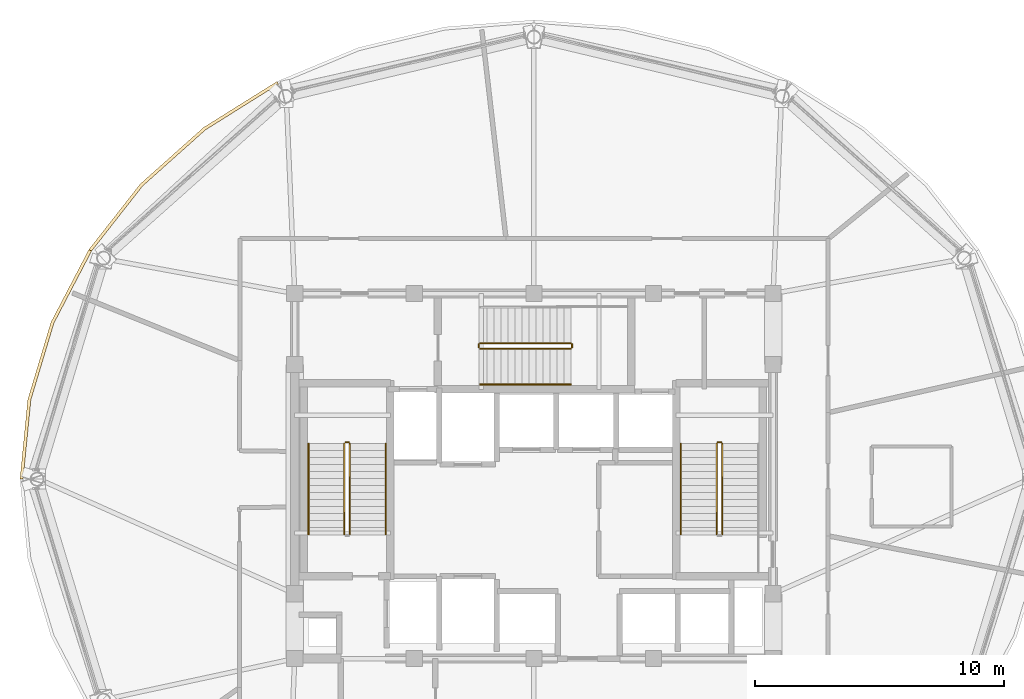
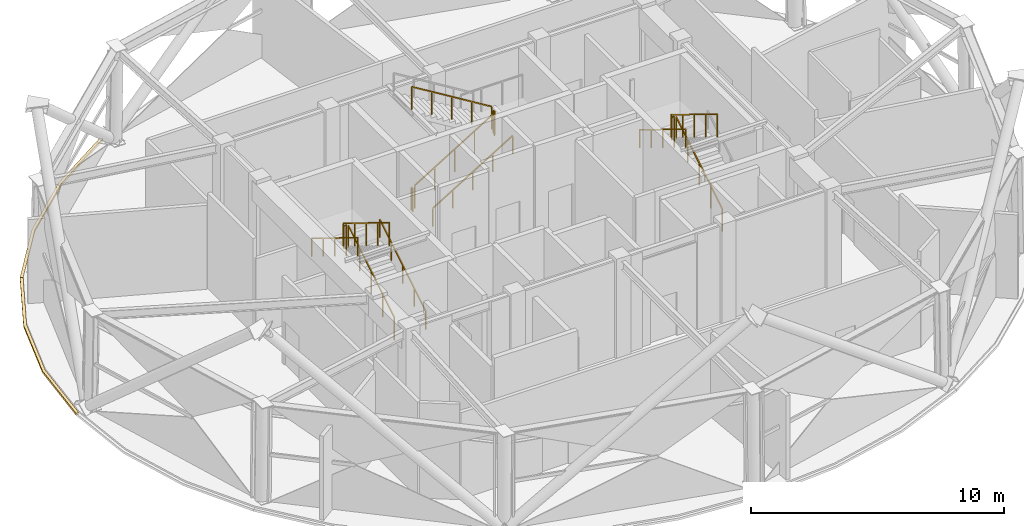
# One storey, part 13 of 14: 14 railings, 2 coverings.
"""IFC4 building model written with IfcOpenShell, lengths in metres."""

from ifc_helpers import new_model, si_unit, direction, frame, origin, origin_2d, place, context, subcontext, project, spatial, polyline, rectangle, outline, extrude, material, layer, layer_set, type_object, element, save


model = new_model("IFC4")

# Units and contexts
model_context = context("Model", 3, precision=1e-05, world=origin(), true_north=direction((0.0, 1.0)))
body_context = subcontext(model_context, "Body", "Model", "MODEL_VIEW")
ifc_project = project(units=[si_unit("LENGTHUNIT", "METRE"), si_unit("AREAUNIT", "SQUARE_METRE"), si_unit("VOLUMEUNIT", "CUBIC_METRE"), si_unit("PLANEANGLEUNIT", "RADIAN"), si_unit("MASSUNIT", "GRAM", prefix="KILO")], contexts=[model_context])

# Site, building, storey
site_placement = place(None, origin())
site = spatial("IfcSite", under=ifc_project, at=site_placement, CompositionType="ELEMENT")
building_placement = place(site_placement, origin())
building = spatial("IfcBuilding", under=site, at=building_placement, Name="Vantalir Tower", CompositionType="ELEMENT")
storey_placement = place(building_placement, frame((0.0, 0.0, 259.050048828125)))
storey = spatial("IfcBuildingStorey", under=building, at=storey_placement, Name="L65", CompositionType="ELEMENT", Elevation=259.050048828125)

# Coverings
ifc_material_1 = material(Name="Anodised champagne aluminium sill fascia", Category="aluminium")
ifc_layer = layer(ifc_material_1, 0.125)
ifc_layer_set = layer_set([ifc_layer], Name="Anodised champagne aluminium sill fascia")
covering_type = type_object("IfcCoveringType", Name="COV-SLAB-FASCIA-125", PredefinedType="CLADDING", material=ifc_layer_set)
covering_1_placement = place(storey_placement, frame((0.0, 0.0, -0.179931640625)))
element("IfcCovering", 1, at=covering_1_placement, inside=storey, type_object=covering_type, Name="L65 Perimeter Slab-Edge Sill Fascia 05", PredefinedType="CLADDING", context=body_context, shape_type="SweptSolid", body=[
    extrude(outline(polyline([(21.18798828125, 40.9599609375), (18.242919921875, 39.116943359375), (15.699951171875, 36.845947265625), (13.637939453125, 34.214111328125), (13.74609375, 34.152099609375), (15.7958984375, 36.76611328125), (18.322998046875, 39.02197265625), (21.25, 40.85205078125), (21.18798828125, 40.9599609375)])), origin(), (0.0, 0.0, 1.0), 0.10498046875),
])
covering_2_placement = place(storey_placement, frame((0.0, 0.0, -0.179931640625)))
element("IfcCovering", 2, at=covering_2_placement, inside=storey, type_object=covering_type, Name="L65 Perimeter Slab-Edge Sill Fascia 06", PredefinedType="CLADDING", context=body_context, shape_type="SweptSolid", body=[
    extrude(outline(polyline([(13.637939453125, 34.214111328125), (12.118896484375, 31.302978515625), (11.18798828125, 28.199951171875), (10.875, 25.0), (11.0, 25.0), (11.31103515625, 28.177978515625), (12.236083984375, 31.260009765625), (13.74609375, 34.152099609375), (13.637939453125, 34.214111328125)])), origin(), (0.0, 0.0, 1.0), 0.10498046875),
])

# Railings
ifc_material_2 = material(Name="Anodised aluminium and stainless steel guard", Category="steel")
railing_type_1 = type_object("IfcRailingType", Name="RAL-GUARD-1120", PredefinedType="GUARDRAIL", material=ifc_material_2)
railing_1_placement = place(storey_placement, frame((24.110107421875, 22.7900390625, 0.17138671875)))
element("IfcRailing", 3, at=railing_1_placement, inside=storey, type_object=railing_type_1, Name="L65 ST1 stair guard 1", PredefinedType="GUARDRAIL", context=body_context, shape_type="SweptSolid", body=[
    extrude(rectangle(XDim=0.048095703125, YDim=0.048095703125, at=origin_2d()), frame((0.0, 0.0, 1.09619140625), z_axis=(0.0, 0.852850264322, 0.5221555579), x_axis=(-1.0, 0.0, 0.0)), (0.0, 0.0, 1.0), 4.267822265625),
    extrude(rectangle(XDim=0.0419921875, YDim=0.0419921875, at=origin_2d()), origin(), (0.0, 0.0, 1.0), 1.072021484375),
    extrude(rectangle(XDim=0.0419921875, YDim=0.0419921875, at=origin_2d()), frame((0.0, 0.909912109375, 0.55712890625)), (0.0, 0.0, 1.0), 1.072021484375),
    extrude(rectangle(XDim=0.0419921875, YDim=0.0419921875, at=origin_2d()), frame((0.0, 1.81982421875, 1.1142578125)), (0.0, 0.0, 1.0), 1.072021484375),
    extrude(rectangle(XDim=0.0419921875, YDim=0.0419921875, at=origin_2d()), frame((0.0, 2.72998046875, 1.67138671875)), (0.0, 0.0, 1.0), 1.072021484375),
    extrude(rectangle(XDim=0.0419921875, YDim=0.0419921875, at=origin_2d()), frame((0.0, 3.639892578125, 2.228515625)), (0.0, 0.0, 1.0), 1.072021484375),
])
railing_2_placement = place(storey_placement, frame((24.06005859375, 26.47998046875, 2.39990234375)))
element("IfcRailing", 4, at=railing_2_placement, inside=storey, type_object=railing_type_1, Name="L65 ST1 stair guard 2", PredefinedType="GUARDRAIL", context=body_context, shape_type="SweptSolid", body=[
    extrude(rectangle(XDim=0.048095703125, YDim=0.048095703125, at=origin_2d()), frame((0.0, 0.0, 1.09619140625), z_axis=(-1.0, 0.0, 0.0), x_axis=(0.0, -1.0, 0.0)), (0.0, 0.0, 1.0), 0.1201171875),
    extrude(rectangle(XDim=0.0419921875, YDim=0.0419921875, at=origin_2d()), origin(), (0.0, 0.0, 1.0), 1.072021484375),
    extrude(rectangle(XDim=0.0419921875, YDim=0.0419921875, at=origin_2d()), frame((-0.1201171875, 0.0, 0.0)), (0.0, 0.0, 1.0), 1.072021484375),
])
railing_3_placement = place(storey_placement, frame((23.889892578125, 26.429931640625, 2.5712890625)))
element("IfcRailing", 5, at=railing_3_placement, inside=storey, type_object=railing_type_1, Name="L65 ST1 stair guard 3", PredefinedType="GUARDRAIL", context=body_context, shape_type="SweptSolid", body=[
    extrude(rectangle(XDim=0.048095703125, YDim=0.048095703125, at=origin_2d()), frame((0.0, 0.0, 1.09619140625), z_axis=(0.0, -0.852824790078, 0.522197163366), x_axis=(1.0, 0.0, 0.0)), (0.0, 0.0, 1.0), 4.26806640625),
    extrude(rectangle(XDim=0.0419921875, YDim=0.0419921875, at=origin_2d()), origin(), (0.0, 0.0, 1.0), 1.072021484375),
    extrude(rectangle(XDim=0.0419921875, YDim=0.0419921875, at=origin_2d()), frame((0.0, -0.909912109375, 0.55712890625)), (0.0, 0.0, 1.0), 1.072021484375),
    extrude(rectangle(XDim=0.0419921875, YDim=0.0419921875, at=origin_2d()), frame((0.0, -1.81982421875, 1.1142578125)), (0.0, 0.0, 1.0), 1.072021484375),
    extrude(rectangle(XDim=0.0419921875, YDim=0.0419921875, at=origin_2d()), frame((0.0, -2.72998046875, 1.671630859375)), (0.0, 0.0, 1.0), 1.072021484375),
    extrude(rectangle(XDim=0.0419921875, YDim=0.0419921875, at=origin_2d()), frame((0.0, -3.639892578125, 2.228759765625)), (0.0, 0.0, 1.0), 1.072021484375),
])
railing_4_placement = place(storey_placement, frame((39.06005859375, 22.7900390625, 0.17138671875)))
element("IfcRailing", 6, at=railing_4_placement, inside=storey, type_object=railing_type_1, Name="L65 ST2 stair guard 1", PredefinedType="GUARDRAIL", context=body_context, shape_type="SweptSolid", body=[
    extrude(rectangle(XDim=0.048095703125, YDim=0.048095703125, at=origin_2d()), frame((0.0, 0.0, 1.09619140625), z_axis=(0.0, 0.852850264322, 0.5221555579), x_axis=(-1.0, 0.0, 0.0)), (0.0, 0.0, 1.0), 4.267822265625),
    extrude(rectangle(XDim=0.0419921875, YDim=0.0419921875, at=origin_2d()), origin(), (0.0, 0.0, 1.0), 1.072021484375),
    extrude(rectangle(XDim=0.0419921875, YDim=0.0419921875, at=origin_2d()), frame((0.0, 0.909912109375, 0.55712890625)), (0.0, 0.0, 1.0), 1.072021484375),
    extrude(rectangle(XDim=0.0419921875, YDim=0.0419921875, at=origin_2d()), frame((0.0, 1.81982421875, 1.1142578125)), (0.0, 0.0, 1.0), 1.072021484375),
    extrude(rectangle(XDim=0.0419921875, YDim=0.0419921875, at=origin_2d()), frame((0.0, 2.72998046875, 1.67138671875)), (0.0, 0.0, 1.0), 1.072021484375),
    extrude(rectangle(XDim=0.0419921875, YDim=0.0419921875, at=origin_2d()), frame((0.0, 3.639892578125, 2.228515625)), (0.0, 0.0, 1.0), 1.072021484375),
])
railing_5_placement = place(storey_placement, frame((39.010009765625, 26.47998046875, 2.39990234375)))
element("IfcRailing", 7, at=railing_5_placement, inside=storey, type_object=railing_type_1, Name="L65 ST2 stair guard 2", PredefinedType="GUARDRAIL", context=body_context, shape_type="SweptSolid", body=[
    extrude(rectangle(XDim=0.048095703125, YDim=0.048095703125, at=origin_2d()), frame((0.0, 0.0, 1.09619140625), z_axis=(-1.0, 0.0, 0.0), x_axis=(0.0, -1.0, 0.0)), (0.0, 0.0, 1.0), 0.1201171875),
    extrude(rectangle(XDim=0.0419921875, YDim=0.0419921875, at=origin_2d()), origin(), (0.0, 0.0, 1.0), 1.072021484375),
    extrude(rectangle(XDim=0.0419921875, YDim=0.0419921875, at=origin_2d()), frame((-0.1201171875, 0.0, 0.0)), (0.0, 0.0, 1.0), 1.072021484375),
])
railing_6_placement = place(storey_placement, frame((38.840087890625, 26.429931640625, 2.5712890625)))
element("IfcRailing", 8, at=railing_6_placement, inside=storey, type_object=railing_type_1, Name="L65 ST2 stair guard 3", PredefinedType="GUARDRAIL", context=body_context, shape_type="SweptSolid", body=[
    extrude(rectangle(XDim=0.048095703125, YDim=0.048095703125, at=origin_2d()), frame((0.0, 0.0, 1.09619140625), z_axis=(0.0, -0.852824790078, 0.522197163366), x_axis=(1.0, 0.0, 0.0)), (0.0, 0.0, 1.0), 4.26806640625),
    extrude(rectangle(XDim=0.0419921875, YDim=0.0419921875, at=origin_2d()), origin(), (0.0, 0.0, 1.0), 1.072021484375),
    extrude(rectangle(XDim=0.0419921875, YDim=0.0419921875, at=origin_2d()), frame((0.0, -0.909912109375, 0.55712890625)), (0.0, 0.0, 1.0), 1.072021484375),
    extrude(rectangle(XDim=0.0419921875, YDim=0.0419921875, at=origin_2d()), frame((0.0, -1.81982421875, 1.1142578125)), (0.0, 0.0, 1.0), 1.072021484375),
    extrude(rectangle(XDim=0.0419921875, YDim=0.0419921875, at=origin_2d()), frame((0.0, -2.72998046875, 1.671630859375)), (0.0, 0.0, 1.0), 1.072021484375),
    extrude(rectangle(XDim=0.0419921875, YDim=0.0419921875, at=origin_2d()), frame((0.0, -3.639892578125, 2.228759765625)), (0.0, 0.0, 1.0), 1.072021484375),
])
railing_7_placement = place(storey_placement, frame((29.340087890625, 30.239990234375, 0.17138671875)))
element("IfcRailing", 9, at=railing_7_placement, inside=storey, type_object=railing_type_1, Name="L65 ST3 stair guard 1", PredefinedType="GUARDRAIL", context=body_context, shape_type="SweptSolid", body=[
    extrude(rectangle(XDim=0.048095703125, YDim=0.048095703125, at=origin_2d()), frame((0.0, 0.0, 1.09619140625), z_axis=(0.852850264322, 0.0, 0.5221555579), x_axis=(0.0, 1.0, 0.0)), (0.0, 0.0, 1.0), 4.267822265625),
    extrude(rectangle(XDim=0.0419921875, YDim=0.0419921875, at=origin_2d()), origin(), (0.0, 0.0, 1.0), 1.072021484375),
    extrude(rectangle(XDim=0.0419921875, YDim=0.0419921875, at=origin_2d()), frame((0.909912109375, 0.0, 0.55712890625)), (0.0, 0.0, 1.0), 1.072021484375),
    extrude(rectangle(XDim=0.0419921875, YDim=0.0419921875, at=origin_2d()), frame((1.81982421875, 0.0, 1.1142578125)), (0.0, 0.0, 1.0), 1.072021484375),
    extrude(rectangle(XDim=0.0419921875, YDim=0.0419921875, at=origin_2d()), frame((2.72998046875, 0.0, 1.67138671875)), (0.0, 0.0, 1.0), 1.072021484375),
    extrude(rectangle(XDim=0.0419921875, YDim=0.0419921875, at=origin_2d()), frame((3.639892578125, 0.0, 2.228515625)), (0.0, 0.0, 1.0), 1.072021484375),
])
railing_8_placement = place(storey_placement, frame((33.030029296875, 30.2900390625, 2.39990234375)))
element("IfcRailing", 10, at=railing_8_placement, inside=storey, type_object=railing_type_1, Name="L65 ST3 stair guard 2", PredefinedType="GUARDRAIL", context=body_context, shape_type="SweptSolid", body=[
    extrude(rectangle(XDim=0.048095703125, YDim=0.048095703125, at=origin_2d()), frame((0.0, 0.0, 1.09619140625), z_axis=(0.0, 1.0, 0.0), x_axis=(-1.0, 0.0, 0.0)), (0.0, 0.0, 1.0), 0.119873046875),
    extrude(rectangle(XDim=0.0419921875, YDim=0.0419921875, at=origin_2d()), origin(), (0.0, 0.0, 1.0), 1.072021484375),
    extrude(rectangle(XDim=0.0419921875, YDim=0.0419921875, at=origin_2d()), frame((0.0, 0.119873046875, 0.0)), (0.0, 0.0, 1.0), 1.072021484375),
])
railing_9_placement = place(storey_placement, frame((32.97998046875, 30.4599609375, 2.5712890625)))
element("IfcRailing", 11, at=railing_9_placement, inside=storey, type_object=railing_type_1, Name="L65 ST3 stair guard 3", PredefinedType="GUARDRAIL", context=body_context, shape_type="SweptSolid", body=[
    extrude(rectangle(XDim=0.048095703125, YDim=0.048095703125, at=origin_2d()), frame((0.0, 0.0, 1.09619140625), z_axis=(-0.852824790078, 0.0, 0.522197163366), x_axis=(0.0, -1.0, 0.0)), (0.0, 0.0, 1.0), 4.26806640625),
    extrude(rectangle(XDim=0.0419921875, YDim=0.0419921875, at=origin_2d()), origin(), (0.0, 0.0, 1.0), 1.072021484375),
    extrude(rectangle(XDim=0.0419921875, YDim=0.0419921875, at=origin_2d()), frame((-0.909912109375, 0.0, 0.55712890625)), (0.0, 0.0, 1.0), 1.072021484375),
    extrude(rectangle(XDim=0.0419921875, YDim=0.0419921875, at=origin_2d()), frame((-1.81982421875, 0.0, 1.1142578125)), (0.0, 0.0, 1.0), 1.072021484375),
    extrude(rectangle(XDim=0.0419921875, YDim=0.0419921875, at=origin_2d()), frame((-2.72998046875, 0.0, 1.671630859375)), (0.0, 0.0, 1.0), 1.072021484375),
    extrude(rectangle(XDim=0.0419921875, YDim=0.0419921875, at=origin_2d()), frame((-3.639892578125, 0.0, 2.228759765625)), (0.0, 0.0, 1.0), 1.072021484375),
])
railing_10_placement = place(storey_placement, frame((29.2900390625, 30.2900390625, 0.0)))
element("IfcRailing", 12, at=railing_10_placement, inside=storey, type_object=railing_type_1, Name="L65 ST3 stair guard 4", PredefinedType="GUARDRAIL", context=body_context, shape_type="SweptSolid", body=[
    extrude(rectangle(XDim=0.048095703125, YDim=0.048095703125, at=origin_2d()), frame((0.0, 0.0, 1.09619140625), z_axis=(0.0, 1.0, 0.0), x_axis=(-1.0, 0.0, 0.0)), (0.0, 0.0, 1.0), 0.119873046875),
    extrude(rectangle(XDim=0.0419921875, YDim=0.0419921875, at=origin_2d()), origin(), (0.0, 0.0, 1.0), 1.072021484375),
    extrude(rectangle(XDim=0.0419921875, YDim=0.0419921875, at=origin_2d()), frame((0.0, 0.119873046875, 0.0)), (0.0, 0.0, 1.0), 1.072021484375),
])
ifc_material_3 = material(Name="Brushed stainless steel tubular handrail", Category="steel")
railing_type_2 = type_object("IfcRailingType", Name="RAL-HANDRAIL-900", PredefinedType="HANDRAIL", material=ifc_material_3)
railing_11_placement = place(storey_placement, frame((25.550048828125, 22.7900390625, 0.17138671875)))
element("IfcRailing", 13, at=railing_11_placement, inside=storey, type_object=railing_type_2, Name="L65 ST1 stair handrail 1", PredefinedType="HANDRAIL", context=body_context, shape_type="SweptSolid", body=[
    extrude(rectangle(XDim=0.048095703125, YDim=0.048095703125, at=origin_2d()), frame((0.0, 0.0, 0.8759765625), z_axis=(0.0, 0.852850264322, 0.5221555579), x_axis=(-1.0, 0.0, 0.0)), (0.0, 0.0, 1.0), 4.267822265625),
    extrude(rectangle(XDim=0.0419921875, YDim=0.0419921875, at=origin_2d()), origin(), (0.0, 0.0, 1.0), 0.851806640625),
    extrude(rectangle(XDim=0.0419921875, YDim=0.0419921875, at=origin_2d()), frame((0.0, 0.909912109375, 0.55712890625)), (0.0, 0.0, 1.0), 0.851806640625),
    extrude(rectangle(XDim=0.0419921875, YDim=0.0419921875, at=origin_2d()), frame((0.0, 1.81982421875, 1.1142578125)), (0.0, 0.0, 1.0), 0.851806640625),
    extrude(rectangle(XDim=0.0419921875, YDim=0.0419921875, at=origin_2d()), frame((0.0, 2.72998046875, 1.67138671875)), (0.0, 0.0, 1.0), 0.851806640625),
    extrude(rectangle(XDim=0.0419921875, YDim=0.0419921875, at=origin_2d()), frame((0.0, 3.639892578125, 2.228515625)), (0.0, 0.0, 1.0), 0.851806640625),
])
for number, where, name in (
    (14, (22.449951171875, 26.429931640625, 2.5712890625), "L65 ST1 stair handrail 2"),
    (15, (37.39990234375, 26.429931640625, 2.5712890625), "L65 ST2 stair handrail 2"),
):
    element("IfcRailing", number, at=place(storey_placement, frame(where)), inside=storey, type_object=railing_type_2, Name=name, PredefinedType="HANDRAIL", context=body_context, shape_type="SweptSolid", body=[
        extrude(rectangle(XDim=0.048095703125, YDim=0.048095703125, at=origin_2d()), frame((0.0, 0.0, 0.8759765625), z_axis=(0.0, -0.852824790078, 0.522197163366), x_axis=(1.0, 0.0, 0.0)), (0.0, 0.0, 1.0), 4.26806640625),
        extrude(rectangle(XDim=0.0419921875, YDim=0.0419921875, at=origin_2d()), origin(), (0.0, 0.0, 1.0), 0.851806640625),
        extrude(rectangle(XDim=0.0419921875, YDim=0.0419921875, at=origin_2d()), frame((0.0, -0.909912109375, 0.55712890625)), (0.0, 0.0, 1.0), 0.851806640625),
        extrude(rectangle(XDim=0.0419921875, YDim=0.0419921875, at=origin_2d()), frame((0.0, -1.81982421875, 1.1142578125)), (0.0, 0.0, 1.0), 0.851806640625),
        extrude(rectangle(XDim=0.0419921875, YDim=0.0419921875, at=origin_2d()), frame((0.0, -2.72998046875, 1.671630859375)), (0.0, 0.0, 1.0), 0.851806640625),
        extrude(rectangle(XDim=0.0419921875, YDim=0.0419921875, at=origin_2d()), frame((0.0, -3.639892578125, 2.228759765625)), (0.0, 0.0, 1.0), 0.851806640625),
    ])
railing_12_placement = place(storey_placement, frame((29.340087890625, 28.800048828125, 0.17138671875)))
element("IfcRailing", 16, at=railing_12_placement, inside=storey, type_object=railing_type_2, Name="L65 ST3 stair handrail 1", PredefinedType="HANDRAIL", context=body_context, shape_type="SweptSolid", body=[
    extrude(rectangle(XDim=0.048095703125, YDim=0.048095703125, at=origin_2d()), frame((0.0, 0.0, 0.8759765625), z_axis=(0.852850264322, 0.0, 0.5221555579), x_axis=(0.0, 1.0, 0.0)), (0.0, 0.0, 1.0), 4.267822265625),
    extrude(rectangle(XDim=0.0419921875, YDim=0.0419921875, at=origin_2d()), origin(), (0.0, 0.0, 1.0), 0.851806640625),
    extrude(rectangle(XDim=0.0419921875, YDim=0.0419921875, at=origin_2d()), frame((0.909912109375, 0.0, 0.55712890625)), (0.0, 0.0, 1.0), 0.851806640625),
    extrude(rectangle(XDim=0.0419921875, YDim=0.0419921875, at=origin_2d()), frame((1.81982421875, 0.0, 1.1142578125)), (0.0, 0.0, 1.0), 0.851806640625),
    extrude(rectangle(XDim=0.0419921875, YDim=0.0419921875, at=origin_2d()), frame((2.72998046875, 0.0, 1.67138671875)), (0.0, 0.0, 1.0), 0.851806640625),
    extrude(rectangle(XDim=0.0419921875, YDim=0.0419921875, at=origin_2d()), frame((3.639892578125, 0.0, 2.228515625)), (0.0, 0.0, 1.0), 0.851806640625),
])

save(model, "model.ifc")
